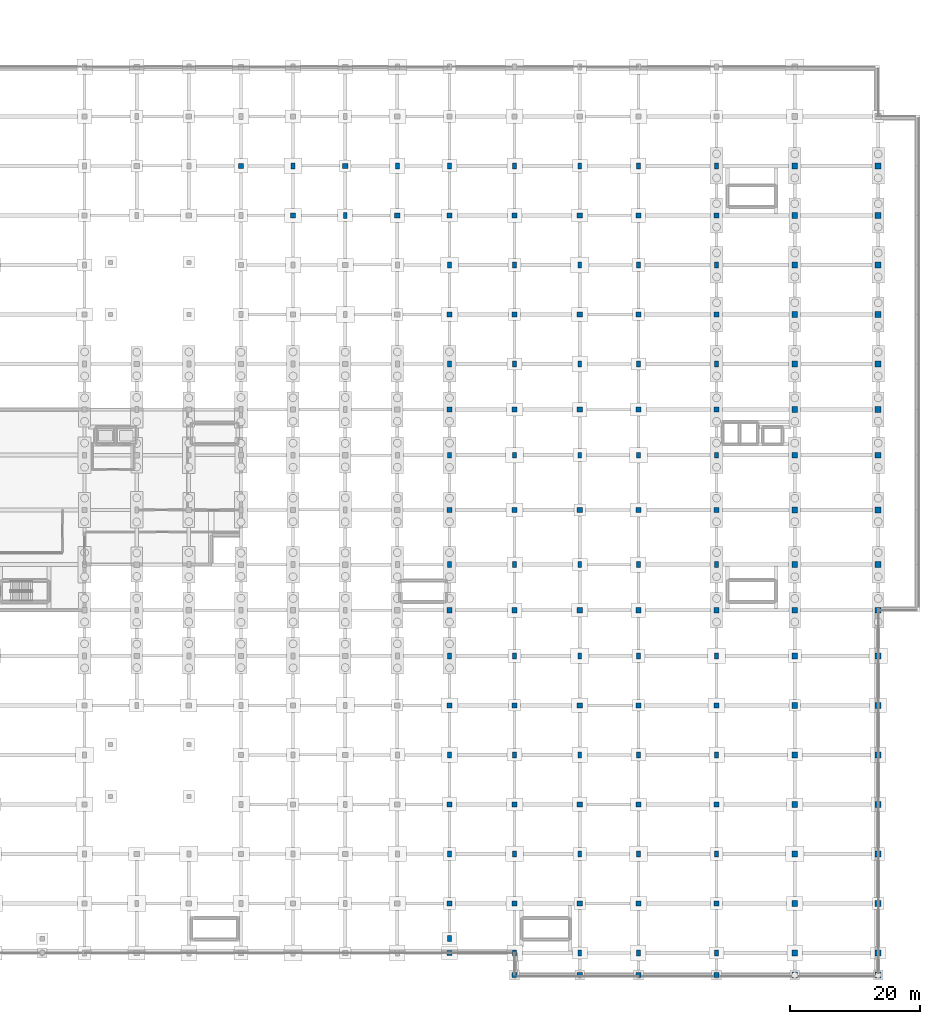
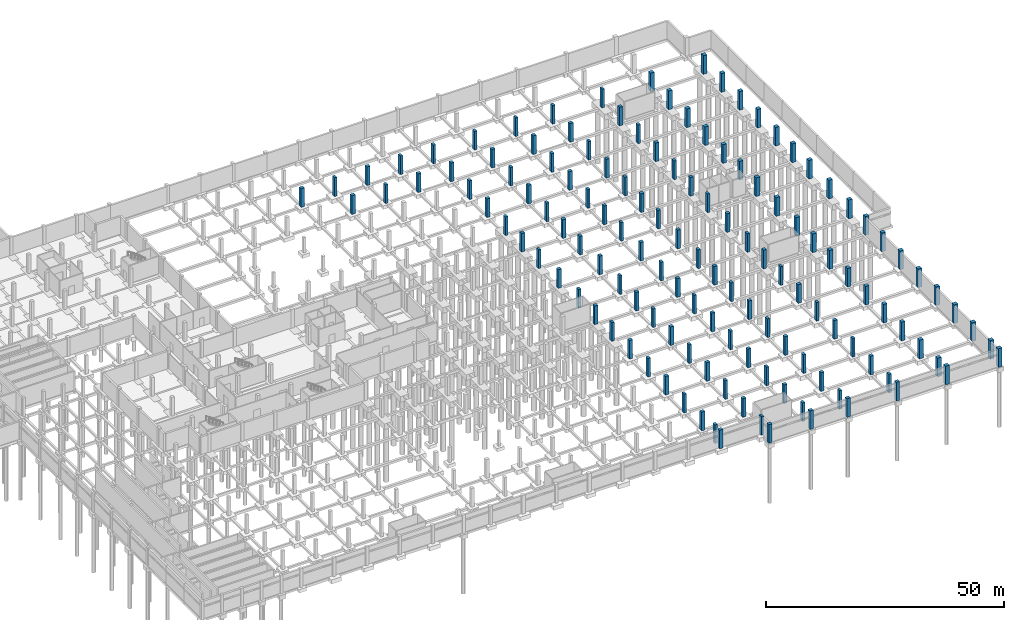
# One storey, part 29 of 50: 133 columns.
"""IFC4 building model written with IfcOpenShell, lengths in metres."""

import ifcopenshell
import ifcopenshell.guid

model = None  # the IFC model being written
_history = None  # IfcOwnerHistory: only IFC2X3 demands one
_inside = {}  # id of a spatial element -> (the spatial element, [elements in it])
_under = {}  # id of a project, library or spatial element -> (it, [spatial elements below it])
_declared = {}  # id of a project -> (the project, [libraries it declares])
_typed = {}  # id of a type object -> (the type object, [elements of that type])
_made_of = {}  # id of a material, layer set ... -> (it, [elements and type objects made of it])


def new_model(schema):
    """Start an empty IFC model of exactly this schema.

    Asked for "IFC4X3", IfcOpenShell would pick the latest addendum, in which some entities
    have other attributes; the version numbers below select the first issue.
    IFC2X3 requires an IfcOwnerHistory on every rooted entity: one is made here for all.
    """
    global model, _history
    if schema == "IFC4X3":
        model = ifcopenshell.file(schema_version=(4, 3, 0, 0))
    else:
        model = ifcopenshell.file(schema=schema)
    _inside.clear()
    _under.clear()
    _declared.clear()
    _typed.clear()
    _made_of.clear()
    _history = None
    if model.schema == "IFC2X3":
        org = make("IfcOrganization", Name="unknown")
        user = make(
            "IfcPersonAndOrganization",
            ThePerson=make("IfcPerson", FamilyName="unknown"),
            TheOrganization=org,
        )
        app = make(
            "IfcApplication",
            ApplicationDeveloper=org,
            Version="unknown",
            ApplicationFullName="unknown",
            ApplicationIdentifier="unknown",
        )
        _history = make(
            "IfcOwnerHistory",
            OwningUser=user,
            OwningApplication=app,
            ChangeAction="ADDED",
            CreationDate=0,
        )
    return model


def make(cls, **values):
    """One entity of the class cls with the attributes given. An attribute that is None is left unset."""
    return model.create_entity(
        cls, **{name: value for name, value in values.items() if value is not None}
    )


def rooted(cls, **values):
    """An entity with a GlobalId (a new one), such as an element, a storey or a relation."""
    return make(cls, GlobalId=ifcopenshell.guid.new(), OwnerHistory=_history, **values)


def si_unit(unit_type, name, prefix=None):
    """IfcSIUnit, for example si_unit("LENGTHUNIT", "METRE", prefix="MILLI")."""
    return make("IfcSIUnit", UnitType=unit_type, Prefix=prefix, Name=name)


def assignment(units):
    """IfcUnitAssignment: the units of a project."""
    return None if units is None else make("IfcUnitAssignment", Units=units)


def point(xyz):
    """IfcCartesianPoint."""
    return None if xyz is None else make("IfcCartesianPoint", Coordinates=xyz)


def direction(xyz):
    """IfcDirection."""
    return None if xyz is None else make("IfcDirection", DirectionRatios=xyz)


def frame(location, z_axis=None, x_axis=None):
    """IfcAxis2Placement3D, a coordinate frame: its origin and axes. An axis left out is left unset."""
    return make(
        "IfcAxis2Placement3D",
        Location=point(location),
        Axis=direction(z_axis),
        RefDirection=direction(x_axis),
    )


def frame_2d(location, x_axis=None):
    """IfcAxis2Placement2D, a coordinate frame in the plane: its origin and x axis."""
    return make(
        "IfcAxis2Placement2D", Location=point(location), RefDirection=direction(x_axis)
    )


def origin():
    """The frame at (0, 0, 0) with its axes left unset."""
    return frame((0.0, 0.0, 0.0))


def origin_2d():
    """The frame at (0, 0) in the plane with its x axis left unset."""
    return frame_2d((0.0, 0.0))


def place(relative_to, where):
    """IfcLocalPlacement: puts the frame where relative to a parent placement (None: the world)."""
    return make(
        "IfcLocalPlacement", PlacementRelTo=relative_to, RelativePlacement=where
    )


def context(
    kind, dimensions, precision=None, world=None, true_north=None, identifier=None
):
    """IfcGeometricRepresentationContext, for example the 3D "Model" context."""
    return make(
        "IfcGeometricRepresentationContext",
        ContextIdentifier=identifier,
        ContextType=kind,
        CoordinateSpaceDimension=dimensions,
        Precision=precision,
        WorldCoordinateSystem=world,
        TrueNorth=true_north,
    )


def subcontext(parent, identifier, kind, view, scale=None):
    """IfcGeometricRepresentationSubContext, for example "Body" below "Model"."""
    return make(
        "IfcGeometricRepresentationSubContext",
        ContextIdentifier=identifier,
        ContextType=kind,
        ParentContext=parent,
        TargetScale=scale,
        TargetView=view,
    )


def project(units=None, contexts=None):
    """IfcProject with its units and contexts."""
    return rooted(
        "IfcProject",
        Name="project",
        RepresentationContexts=contexts,
        UnitsInContext=assignment(units),
    )


def spatial(cls, under=None, at=None, **own):
    """A site, building, storey or space (cls), placed at a placement, below another one or the project."""
    s = rooted(cls, ObjectPlacement=at, **own)
    if under is not None:
        _under.setdefault(under.id(), (under, []))[1].append(s)
    return s


def profile(cls, at=None, kind="AREA", **sizes):
    """A parametric profile (cls). Its sizes go by their IFC names, for example OverallWidth=200.0."""
    return make(cls, ProfileType=kind, Position=at, **sizes)


def rectangle(**sizes):
    """IfcRectangleProfileDef."""
    return profile("IfcRectangleProfileDef", **sizes)


def extrude(swept, where, along, depth):
    """IfcExtrudedAreaSolid: the profile swept, set in the frame where, extruded along a direction by depth."""
    return make(
        "IfcExtrudedAreaSolid",
        SweptArea=swept,
        Position=where,
        ExtrudedDirection=direction(along),
        Depth=depth,
    )


def shape(context_of_items, identifier, shape_type, items):
    """IfcShapeRepresentation: the items that make up one representation, for example the "Body"."""
    return make(
        "IfcShapeRepresentation",
        ContextOfItems=context_of_items,
        RepresentationIdentifier=identifier,
        RepresentationType=shape_type,
        Items=items,
    )


def material(Name=None, Category=None):
    """IfcMaterial."""
    return make("IfcMaterial", Name=Name, Category=Category)


def material_profile(
    of_material, cross_section, Name=None, Category=None, Priority=None
):
    """IfcMaterialProfile: a cross section and its material."""
    return make(
        "IfcMaterialProfile",
        Name=Name,
        Material=of_material,
        Profile=cross_section,
        Priority=Priority,
        Category=Category,
    )


def profile_set(profiles, Name=None, composite=None):
    """IfcMaterialProfileSet."""
    return make(
        "IfcMaterialProfileSet",
        Name=Name,
        MaterialProfiles=profiles,
        CompositeProfile=composite,
    )


def made_of(thing, what):
    """Note that an element or type object is made of a material, layer set ...; save() writes the relation."""
    if what is not None:
        _made_of.setdefault(what.id(), (what, []))[1].append(thing)
    return thing


def type_object(cls, material=None, **own):
    """A type object (cls), such as IfcWallType, which elements share."""
    return made_of(rooted(cls, **own), material)


def element(
    cls,
    number,
    at=None,
    inside=None,
    cuts=None,
    type_object=None,
    material=None,
    context=None,
    identifier="Body",
    shape_type=None,
    held_by="IfcProductDefinitionShape",
    body=None,
    shapes=None,
    **own,
):
    """One element of the class cls, such as IfcWall. Its Tag is "e" and its number.

    at: its placement. inside: the storey or other place that contains it. cuts: it is an
    opening in that element (IfcRelVoidsElement). A single representation is given by context,
    identifier, shape_type and body (its items); several are given by shapes. held_by: the class
    of the entity that holds the representations. save() writes the other relations.
    """
    e = rooted(cls, Tag="e%d" % number, ObjectPlacement=at, **own)
    if body is not None:
        shapes = [shape(context, identifier, shape_type, body)]
    if shapes is not None:
        e.Representation = make(held_by, Representations=shapes)
    if inside is not None:
        _inside.setdefault(inside.id(), (inside, []))[1].append(e)
    if cuts is not None:
        rooted(
            "IfcRelVoidsElement", RelatingBuildingElement=cuts, RelatedOpeningElement=e
        )
    if type_object is not None:
        _typed.setdefault(type_object.id(), (type_object, []))[1].append(e)
    return made_of(e, material)


def aggregate(whole, parts):
    """IfcRelAggregates: a whole, such as a stair, and the parts it consists of."""
    return rooted("IfcRelAggregates", RelatingObject=whole, RelatedObjects=parts)


def save(model, path):
    """Write the relations noted so far, then the file.

    IfcRelAggregates (storeys below a building ...), IfcRelContainedInSpatialStructure (elements
    in a storey), IfcRelDefinesByType, IfcRelAssociatesMaterial and IfcRelDeclares: one each for
    every whole, place, type object, material and project.
    """
    for whole, parts in _under.values():
        aggregate(whole, parts)
    for where, things in _inside.values():
        rooted(
            "IfcRelContainedInSpatialStructure",
            RelatedElements=things,
            RelatingStructure=where,
        )
    for kind, things in _typed.values():
        rooted("IfcRelDefinesByType", RelatedObjects=things, RelatingType=kind)
    for what, things in _made_of.values():
        rooted("IfcRelAssociatesMaterial", RelatedObjects=things, RelatingMaterial=what)
    for by, libraries in _declared.values():
        rooted("IfcRelDeclares", RelatingContext=by, RelatedDefinitions=libraries)
    model.write(path)


model = new_model("IFC4")

# Units and contexts
model_context = context("Model", 3, precision=1e-05, world=origin(), true_north=direction((0.0, 1.0)))
body_context = subcontext(model_context, "Body", "Model", "MODEL_VIEW")
ifc_project = project(units=[si_unit("LENGTHUNIT", "METRE"), si_unit("AREAUNIT", "SQUARE_METRE"), si_unit("VOLUMEUNIT", "CUBIC_METRE"), si_unit("PLANEANGLEUNIT", "RADIAN"), si_unit("MASSUNIT", "GRAM", prefix="KILO")], contexts=[model_context])

# Site, building, storey
site_placement = place(None, origin())
site = spatial("IfcSite", under=ifc_project, at=site_placement, CompositionType="ELEMENT")
building_placement = place(site_placement, origin())
building = spatial("IfcBuilding", under=site, at=building_placement, Name="Vekula Escarpment Museum", CompositionType="ELEMENT")
storey_placement = place(building_placement, frame((0.0, 0.0, -4.800048828125)))
storey = spatial("IfcBuildingStorey", under=building, at=storey_placement, Name="B1", CompositionType="ELEMENT", Elevation=-4.800048828125)

# Columns
ifc_material_1 = material(Name="Concrete C35/45", Category="concrete")
ifc_material_profile_1 = material_profile(ifc_material_1, rectangle(XDim=0.60009765625, YDim=0.89990234375, at=origin_2d()), Name="RC 600x900")
ifc_profile_set_1 = profile_set([ifc_material_profile_1], Name="Concrete C35/45")
column_type_1 = type_object("IfcColumnType", Name="COL-B1-RC69", PredefinedType="COLUMN", material=ifc_profile_set_1)
for number, where, z_axis, x_axis, name in (
    (1, (102.0, 120.800048828125, 0.0), (0.0, 0.0, 1.0), (1.0, 0.0, 0.0), "Column B1 (102.0,120.8)"),
    (2, (110.0, 113.199951171875, 0.0), (0.0, 0.0, 1.0), (1.0, 0.0, 0.0), "Column B1 (110.0,113.2)"),
    (3, (118.0, 120.800048828125, 0.0), (0.0, 0.0, 1.0), (1.0, 0.0, 0.0), "Column B1 (118.0,120.8)"),
    (4, (126.0, 2.199951171875, 0.0), (0.0, 0.0, 1.0), (1.0, 0.0, 0.0), "Column B1 (126.0,2.2)"),
    (5, (126.0, 15.199951171875, 0.0), (0.0, 0.0, 1.0), (1.0, 0.0, 0.0), "Column B1 (126.0,15.2)"),
    (6, (126.0, 30.39990234375, 0.0), (0.0, 0.0, 1.0), (1.0, 0.0, 0.0), "Column B1 (126.0,30.4)"),
    (7, (126.0, 45.60009765625, 0.0), (0.0, 0.0, 1.0), (1.0, 0.0, 0.0), "Column B1 (126.0,45.6)"),
    (8, (126.0, 59.60009765625, 0.0), (0.0, 0.0, 1.0), (1.0, 0.0, 0.0), "Column B1 (126.0,59.6)"),
    (9, (126.0, 76.39990234375, 0.0), (0.0, 0.0, 1.0), (1.0, 0.0, 0.0), "Column B1 (126.0,76.4)"),
    (10, (126.0, 90.39990234375, 0.0), (0.0, 0.0, 1.0), (1.0, 0.0, 0.0), "Column B1 (126.0,90.4)"),
    (11, (126.0, 105.60009765625, 0.0), (0.0, 0.0, 1.0), (1.0, 0.0, 0.0), "Column B1 (126.0,105.6)"),
    (12, (126.0, 120.800048828125, 0.0), (0.0, 0.0, 1.0), (1.0, 0.0, 0.0), "Column B1 (126.0,120.8)"),
    (13, (136.0, 0.0, 0.0), (0.0, 0.0, 1.0), (1.0, 0.0, 0.0), "Column B1 (136.0,0.0)"),
    (14, (136.0, 15.199951171875, 0.0), (0.0, 0.0, 1.0), (1.0, 0.0, 0.0), "Column B1 (136.0,15.2)"),
    (15, (136.0, 30.39990234375, 0.0), (0.0, 0.0, 1.0), (1.0, 0.0, 0.0), "Column B1 (136.0,30.4)"),
    (16, (136.0, 45.60009765625, 0.0), (0.0, 0.0, 1.0), (1.0, 0.0, 0.0), "Column B1 (136.0,45.6)"),
    (17, (136.0, 59.60009765625, 0.0), (0.0, 0.0, 1.0), (1.0, 0.0, 0.0), "Column B1 (136.0,59.6)"),
    (18, (136.0, 76.39990234375, 0.0), (0.0, 0.0, 1.0), (1.0, 0.0, 0.0), "Column B1 (136.0,76.4)"),
    (19, (136.0, 90.39990234375, 0.0), (0.0, 0.0, 1.0), (1.0, 0.0, 0.0), "Column B1 (136.0,90.4)"),
    (20, (136.0, 105.60009765625, 0.0), (0.0, 0.0, 1.0), (1.0, 0.0, 0.0), "Column B1 (136.0,105.6)"),
    (21, (136.0, 120.800048828125, 0.0), (0.0, 0.0, 1.0), (1.0, 0.0, 0.0), "Column B1 (136.0,120.8)"),
    (22, (146.0, 0.0, 0.0), (0.0, 0.0, 1.0), (1.0, 0.0, 0.0), "Column B1 (146.0,0.0)"),
    (23, (146.0, 15.199951171875, 0.0), (0.0, 0.0, 1.0), (1.0, 0.0, 0.0), "Column B1 (146.0,15.2)"),
    (24, (146.0, 30.39990234375, 0.0), (0.0, 0.0, 1.0), (1.0, 0.0, 0.0), "Column B1 (146.0,30.4)"),
    (25, (146.0, 45.60009765625, 0.0), (0.0, 0.0, 1.0), (1.0, 0.0, 0.0), "Column B1 (146.0,45.6)"),
    (26, (146.0, 59.60009765625, 0.0), (0.0, 0.0, 1.0), (1.0, 0.0, 0.0), "Column B1 (146.0,59.6)"),
    (27, (146.0, 76.39990234375, 0.0), (0.0, 0.0, 1.0), (1.0, 0.0, 0.0), "Column B1 (146.0,76.4)"),
    (28, (146.0, 90.39990234375, 0.0), (0.0, 0.0, 1.0), (1.0, 0.0, 0.0), "Column B1 (146.0,90.4)"),
    (29, (146.0, 105.60009765625, 0.0), (0.0, 0.0, 1.0), (1.0, 0.0, 0.0), "Column B1 (146.0,105.6)"),
    (30, (146.0, 120.800048828125, 0.0), (0.0, 0.0, 1.0), (1.0, 0.0, 0.0), "Column B1 (146.0,120.8)"),
    (31, (155.0, 0.0, 0.0), (0.0, 0.0, 1.0), (1.0, 0.0, 0.0), "Column B1 (155.0,0.0)"),
    (32, (155.0, 15.199951171875, 0.0), (0.0, 0.0, 1.0), (1.0, 0.0, 0.0), "Column B1 (155.0,15.2)"),
    (33, (155.0, 30.39990234375, 0.0), (0.0, 0.0, 1.0), (1.0, 0.0, 0.0), "Column B1 (155.0,30.4)"),
    (34, (155.0, 45.60009765625, 0.0), (0.0, 0.0, 1.0), (1.0, 0.0, 0.0), "Column B1 (155.0,45.6)"),
    (35, (155.0, 59.60009765625, 0.0), (0.0, 0.0, 1.0), (1.0, 0.0, 0.0), "Column B1 (155.0,59.6)"),
    (36, (155.0, 76.39990234375, 0.0), (0.0, 0.0, 1.0), (1.0, 0.0, 0.0), "Column B1 (155.0,76.4)"),
    (37, (155.0, 90.39990234375, 0.0), (0.0, 0.0, 1.0), (1.0, 0.0, 0.0), "Column B1 (155.0,90.4)"),
    (38, (155.0, 105.60009765625, 0.0), (0.0, 0.0, 1.0), (1.0, 0.0, 0.0), "Column B1 (155.0,105.6)"),
    (39, (155.0, 120.800048828125, 0.0), (0.0, 0.0, 1.0), (1.0, 0.0, 0.0), "Column B1 (155.0,120.8)"),
    (40, (167.0, 0.0, 0.0), (0.0, 0.0, 1.0), (1.0, 0.0, 0.0), "Column B1 (167.0,0.0)"),
    (41, (167.0, 15.199951171875, 0.0), (0.0, 0.0, 1.0), (1.0, 0.0, 0.0), "Column B1 (167.0,15.2)"),
    (42, (167.0, 30.39990234375, 0.0), (0.0, 0.0, 1.0), (1.0, 0.0, 0.0), "Column B1 (167.0,30.4)"),
    (43, (167.0, 45.60009765625, 0.0), (0.0, 0.0, 1.0), (1.0, 0.0, 0.0), "Column B1 (167.0,45.6)"),
    (44, (167.0, 59.60009765625, 0.0), (0.0, 0.0, 1.0), (1.0, 0.0, 0.0), "Column B1 (167.0,59.6)"),
    (45, (167.0, 76.39990234375, 0.0), (0.0, 0.0, 1.0), (1.0, 0.0, 0.0), "Column B1 (167.0,76.4)"),
    (46, (167.0, 90.39990234375, 0.0), (0.0, 0.0, 1.0), (1.0, 0.0, 0.0), "Column B1 (167.0,90.4)"),
    (47, (167.0, 105.60009765625, 0.0), (0.0, 0.0, 1.0), (1.0, 0.0, 0.0), "Column B1 (167.0,105.6)"),
    (48, (167.0, 120.800048828125, 0.0), (0.0, 0.0, 1.0), (1.0, 0.0, 0.0), "Column B1 (167.0,120.8)"),
):
    element("IfcColumn", number, at=place(storey_placement, frame(where, z_axis=z_axis, x_axis=x_axis)), inside=storey, type_object=column_type_1, Name=name, PredefinedType="COLUMN", context=body_context, shape_type="SweptSolid", body=[
        extrude(rectangle(XDim=0.60009765625, YDim=0.89990234375, at=origin_2d()), origin(), (0.0, 0.0, 1.0), 4.800048828125),
    ])
ifc_material_2 = material(Name="Concrete C35/45", Category="concrete")
ifc_material_profile_2 = material_profile(ifc_material_2, rectangle(XDim=0.800048828125, YDim=0.800048828125, at=origin_2d()), Name="RC 800x800")
ifc_profile_set_2 = profile_set([ifc_material_profile_2], Name="Concrete C35/45")
column_type_2 = type_object("IfcColumnType", Name="COL-B1-RC800", PredefinedType="COLUMN", material=ifc_profile_set_2)
for number, where, z_axis, x_axis, name in (
    (49, (94.0, 120.800048828125, 0.0), (0.0, 0.0, 1.0), (1.0, 0.0, 0.0), "Column B1 (94.0,120.8)"),
    (50, (102.0, 113.199951171875, 0.0), (0.0, 0.0, 1.0), (1.0, 0.0, 0.0), "Column B1 (102.0,113.2)"),
    (51, (110.0, 120.800048828125, 0.0), (0.0, 0.0, 1.0), (1.0, 0.0, 0.0), "Column B1 (110.0,120.8)"),
    (52, (118.0, 113.199951171875, 0.0), (0.0, 0.0, 1.0), (1.0, 0.0, 0.0), "Column B1 (118.0,113.2)"),
    (53, (126.0, 0.0, 0.0), (0.0, 0.0, 1.0), (1.0, 0.0, 0.0), "Column B1 (126.0,0.0)"),
    (54, (126.0, 7.60009765625, 0.0), (0.0, 0.0, 1.0), (1.0, 0.0, 0.0), "Column B1 (126.0,7.6)"),
    (55, (126.0, 22.800048828125, 0.0), (0.0, 0.0, 1.0), (1.0, 0.0, 0.0), "Column B1 (126.0,22.8)"),
    (56, (126.0, 38.0, 0.0), (0.0, 0.0, 1.0), (1.0, 0.0, 0.0), "Column B1 (126.0,38.0)"),
    (57, (126.0, 52.60009765625, 0.0), (0.0, 0.0, 1.0), (1.0, 0.0, 0.0), "Column B1 (126.0,52.6)"),
    (58, (126.0, 68.0, 0.0), (0.0, 0.0, 1.0), (1.0, 0.0, 0.0), "Column B1 (126.0,68.0)"),
    (59, (126.0, 83.39990234375, 0.0), (0.0, 0.0, 1.0), (1.0, 0.0, 0.0), "Column B1 (126.0,83.4)"),
    (60, (126.0, 98.0, 0.0), (0.0, 0.0, 1.0), (1.0, 0.0, 0.0), "Column B1 (126.0,98.0)"),
    (61, (126.0, 113.199951171875, 0.0), (0.0, 0.0, 1.0), (1.0, 0.0, 0.0), "Column B1 (126.0,113.2)"),
    (62, (136.0, -3.39990234375, 0.0), (0.0, 0.0, 1.0), (1.0, 0.0, 0.0), "Column B1 (136.0,-3.4)"),
    (63, (136.0, 7.60009765625, 0.0), (0.0, 0.0, 1.0), (1.0, 0.0, 0.0), "Column B1 (136.0,7.6)"),
    (64, (136.0, 22.800048828125, 0.0), (0.0, 0.0, 1.0), (1.0, 0.0, 0.0), "Column B1 (136.0,22.8)"),
    (65, (136.0, 38.0, 0.0), (0.0, 0.0, 1.0), (1.0, 0.0, 0.0), "Column B1 (136.0,38.0)"),
    (66, (136.0, 52.60009765625, 0.0), (0.0, 0.0, 1.0), (1.0, 0.0, 0.0), "Column B1 (136.0,52.6)"),
    (67, (136.0, 68.0, 0.0), (0.0, 0.0, 1.0), (1.0, 0.0, 0.0), "Column B1 (136.0,68.0)"),
    (68, (136.0, 83.39990234375, 0.0), (0.0, 0.0, 1.0), (1.0, 0.0, 0.0), "Column B1 (136.0,83.4)"),
    (69, (136.0, 98.0, 0.0), (0.0, 0.0, 1.0), (1.0, 0.0, 0.0), "Column B1 (136.0,98.0)"),
    (70, (136.0, 113.199951171875, 0.0), (0.0, 0.0, 1.0), (1.0, 0.0, 0.0), "Column B1 (136.0,113.2)"),
    (71, (146.0, -3.39990234375, 0.0), (0.0, 0.0, 1.0), (1.0, 0.0, 0.0), "Column B1 (146.0,-3.4)"),
    (72, (146.0, 7.60009765625, 0.0), (0.0, 0.0, 1.0), (1.0, 0.0, 0.0), "Column B1 (146.0,7.6)"),
    (73, (146.0, 22.800048828125, 0.0), (0.0, 0.0, 1.0), (1.0, 0.0, 0.0), "Column B1 (146.0,22.8)"),
    (74, (146.0, 38.0, 0.0), (0.0, 0.0, 1.0), (1.0, 0.0, 0.0), "Column B1 (146.0,38.0)"),
    (75, (146.0, 52.60009765625, 0.0), (0.0, 0.0, 1.0), (1.0, 0.0, 0.0), "Column B1 (146.0,52.6)"),
    (76, (146.0, 68.0, 0.0), (0.0, 0.0, 1.0), (1.0, 0.0, 0.0), "Column B1 (146.0,68.0)"),
    (77, (146.0, 83.39990234375, 0.0), (0.0, 0.0, 1.0), (1.0, 0.0, 0.0), "Column B1 (146.0,83.4)"),
    (78, (146.0, 98.0, 0.0), (0.0, 0.0, 1.0), (1.0, 0.0, 0.0), "Column B1 (146.0,98.0)"),
    (79, (146.0, 113.199951171875, 0.0), (0.0, 0.0, 1.0), (1.0, 0.0, 0.0), "Column B1 (146.0,113.2)"),
    (80, (155.0, -3.39990234375, 0.0), (0.0, 0.0, 1.0), (1.0, 0.0, 0.0), "Column B1 (155.0,-3.4)"),
    (81, (155.0, 7.60009765625, 0.0), (0.0, 0.0, 1.0), (1.0, 0.0, 0.0), "Column B1 (155.0,7.6)"),
    (82, (155.0, 22.800048828125, 0.0), (0.0, 0.0, 1.0), (1.0, 0.0, 0.0), "Column B1 (155.0,22.8)"),
    (83, (155.0, 38.0, 0.0), (0.0, 0.0, 1.0), (1.0, 0.0, 0.0), "Column B1 (155.0,38.0)"),
    (84, (155.0, 52.60009765625, 0.0), (0.0, 0.0, 1.0), (1.0, 0.0, 0.0), "Column B1 (155.0,52.6)"),
    (85, (155.0, 68.0, 0.0), (0.0, 0.0, 1.0), (1.0, 0.0, 0.0), "Column B1 (155.0,68.0)"),
    (86, (155.0, 83.39990234375, 0.0), (0.0, 0.0, 1.0), (1.0, 0.0, 0.0), "Column B1 (155.0,83.4)"),
    (87, (155.0, 98.0, 0.0), (0.0, 0.0, 1.0), (1.0, 0.0, 0.0), "Column B1 (155.0,98.0)"),
    (88, (155.0, 113.199951171875, 0.0), (0.0, 0.0, 1.0), (1.0, 0.0, 0.0), "Column B1 (155.0,113.2)"),
    (89, (167.0, -3.39990234375, 0.0), (0.0, 0.0, 1.0), (1.0, 0.0, 0.0), "Column B1 (167.0,-3.4)"),
    (90, (167.0, 7.60009765625, 0.0), (0.0, 0.0, 1.0), (1.0, 0.0, 0.0), "Column B1 (167.0,7.6)"),
    (91, (167.0, 22.800048828125, 0.0), (0.0, 0.0, 1.0), (1.0, 0.0, 0.0), "Column B1 (167.0,22.8)"),
    (92, (167.0, 38.0, 0.0), (0.0, 0.0, 1.0), (1.0, 0.0, 0.0), "Column B1 (167.0,38.0)"),
    (93, (167.0, 52.60009765625, 0.0), (0.0, 0.0, 1.0), (1.0, 0.0, 0.0), "Column B1 (167.0,52.6)"),
    (94, (167.0, 68.0, 0.0), (0.0, 0.0, 1.0), (1.0, 0.0, 0.0), "Column B1 (167.0,68.0)"),
    (95, (167.0, 83.39990234375, 0.0), (0.0, 0.0, 1.0), (1.0, 0.0, 0.0), "Column B1 (167.0,83.4)"),
    (96, (167.0, 98.0, 0.0), (0.0, 0.0, 1.0), (1.0, 0.0, 0.0), "Column B1 (167.0,98.0)"),
    (97, (167.0, 113.199951171875, 0.0), (0.0, 0.0, 1.0), (1.0, 0.0, 0.0), "Column B1 (167.0,113.2)"),
):
    element("IfcColumn", number, at=place(storey_placement, frame(where, z_axis=z_axis, x_axis=x_axis)), inside=storey, type_object=column_type_2, Name=name, PredefinedType="COLUMN", context=body_context, shape_type="SweptSolid", body=[
        extrude(rectangle(XDim=0.800048828125, YDim=0.800048828125, at=origin_2d()), origin(), (0.0, 0.0, 1.0), 4.800048828125),
    ])
ifc_material_3 = material(Name="Concrete C35/45", Category="concrete")
ifc_material_profile_3 = material_profile(ifc_material_3, rectangle(XDim=0.89990234375, YDim=0.89990234375, at=origin_2d()), Name="RC 900x900")
ifc_profile_set_3 = profile_set([ifc_material_profile_3], Name="Concrete C35/45")
column_type_3 = type_object("IfcColumnType", Name="COL-B1-RC900", PredefinedType="COLUMN", material=ifc_profile_set_3)
for number, where, z_axis, x_axis, name in (
    (98, (179.0, -3.39990234375, 0.0), (0.0, 0.0, 1.0), (1.0, 0.0, 0.0), "Column B1 (179.0,-3.4)"),
    (99, (179.0, 0.0, 0.0), (0.0, 0.0, 1.0), (1.0, 0.0, 0.0), "Column B1 (179.0,0.0)"),
    (100, (179.0, 7.60009765625, 0.0), (0.0, 0.0, 1.0), (1.0, 0.0, 0.0), "Column B1 (179.0,7.6)"),
    (101, (179.0, 15.199951171875, 0.0), (0.0, 0.0, 1.0), (1.0, 0.0, 0.0), "Column B1 (179.0,15.2)"),
    (102, (179.0, 22.800048828125, 0.0), (0.0, 0.0, 1.0), (1.0, 0.0, 0.0), "Column B1 (179.0,22.8)"),
    (103, (179.0, 30.39990234375, 0.0), (0.0, 0.0, 1.0), (1.0, 0.0, 0.0), "Column B1 (179.0,30.4)"),
    (104, (179.0, 38.0, 0.0), (0.0, 0.0, 1.0), (1.0, 0.0, 0.0), "Column B1 (179.0,38.0)"),
    (105, (179.0, 45.60009765625, 0.0), (0.0, 0.0, 1.0), (1.0, 0.0, 0.0), "Column B1 (179.0,45.6)"),
    (106, (179.0, 52.60009765625, 0.0), (0.0, 0.0, 1.0), (1.0, 0.0, 0.0), "Column B1 (179.0,52.6)"),
    (107, (179.0, 59.60009765625, 0.0), (0.0, 0.0, 1.0), (1.0, 0.0, 0.0), "Column B1 (179.0,59.6)"),
    (108, (179.0, 68.0, 0.0), (0.0, 0.0, 1.0), (1.0, 0.0, 0.0), "Column B1 (179.0,68.0)"),
    (109, (179.0, 76.39990234375, 0.0), (0.0, 0.0, 1.0), (1.0, 0.0, 0.0), "Column B1 (179.0,76.4)"),
    (110, (179.0, 83.39990234375, 0.0), (0.0, 0.0, 1.0), (1.0, 0.0, 0.0), "Column B1 (179.0,83.4)"),
    (111, (179.0, 90.39990234375, 0.0), (0.0, 0.0, 1.0), (1.0, 0.0, 0.0), "Column B1 (179.0,90.4)"),
    (112, (179.0, 98.0, 0.0), (0.0, 0.0, 1.0), (1.0, 0.0, 0.0), "Column B1 (179.0,98.0)"),
    (113, (179.0, 105.60009765625, 0.0), (0.0, 0.0, 1.0), (1.0, 0.0, 0.0), "Column B1 (179.0,105.6)"),
    (114, (179.0, 113.199951171875, 0.0), (0.0, 0.0, 1.0), (1.0, 0.0, 0.0), "Column B1 (179.0,113.2)"),
    (115, (179.0, 120.800048828125, 0.0), (0.0, 0.0, 1.0), (1.0, 0.0, 0.0), "Column B1 (179.0,120.8)"),
    (116, (191.800048828125, -3.39990234375, 0.0), (0.0, 0.0, 1.0), (1.0, 0.0, 0.0), "Column B1 (191.8,-3.4)"),
    (117, (191.800048828125, 0.0, 0.0), (0.0, 0.0, 1.0), (1.0, 0.0, 0.0), "Column B1 (191.8,0.0)"),
    (118, (191.800048828125, 7.60009765625, 0.0), (0.0, 0.0, 1.0), (1.0, 0.0, 0.0), "Column B1 (191.8,7.6)"),
    (119, (191.800048828125, 15.199951171875, 0.0), (0.0, 0.0, 1.0), (1.0, 0.0, 0.0), "Column B1 (191.8,15.2)"),
    (120, (191.800048828125, 22.800048828125, 0.0), (0.0, 0.0, 1.0), (1.0, 0.0, 0.0), "Column B1 (191.8,22.8)"),
    (121, (191.800048828125, 30.39990234375, 0.0), (0.0, 0.0, 1.0), (1.0, 0.0, 0.0), "Column B1 (191.8,30.4)"),
    (122, (191.800048828125, 38.0, 0.0), (0.0, 0.0, 1.0), (1.0, 0.0, 0.0), "Column B1 (191.8,38.0)"),
    (123, (191.800048828125, 45.60009765625, 0.0), (0.0, 0.0, 1.0), (1.0, 0.0, 0.0), "Column B1 (191.8,45.6)"),
    (124, (191.800048828125, 52.60009765625, 0.0), (0.0, 0.0, 1.0), (1.0, 0.0, 0.0), "Column B1 (191.8,52.6)"),
    (125, (191.800048828125, 59.60009765625, 0.0), (0.0, 0.0, 1.0), (1.0, 0.0, 0.0), "Column B1 (191.8,59.6)"),
    (126, (191.800048828125, 68.0, 0.0), (0.0, 0.0, 1.0), (1.0, 0.0, 0.0), "Column B1 (191.8,68.0)"),
    (127, (191.800048828125, 76.39990234375, 0.0), (0.0, 0.0, 1.0), (1.0, 0.0, 0.0), "Column B1 (191.8,76.4)"),
    (128, (191.800048828125, 83.39990234375, 0.0), (0.0, 0.0, 1.0), (1.0, 0.0, 0.0), "Column B1 (191.8,83.4)"),
    (129, (191.800048828125, 90.39990234375, 0.0), (0.0, 0.0, 1.0), (1.0, 0.0, 0.0), "Column B1 (191.8,90.4)"),
    (130, (191.800048828125, 98.0, 0.0), (0.0, 0.0, 1.0), (1.0, 0.0, 0.0), "Column B1 (191.8,98.0)"),
    (131, (191.800048828125, 105.60009765625, 0.0), (0.0, 0.0, 1.0), (1.0, 0.0, 0.0), "Column B1 (191.8,105.6)"),
    (132, (191.800048828125, 113.199951171875, 0.0), (0.0, 0.0, 1.0), (1.0, 0.0, 0.0), "Column B1 (191.8,113.2)"),
    (133, (191.800048828125, 120.800048828125, 0.0), (0.0, 0.0, 1.0), (1.0, 0.0, 0.0), "Column B1 (191.8,120.8)"),
):
    element("IfcColumn", number, at=place(storey_placement, frame(where, z_axis=z_axis, x_axis=x_axis)), inside=storey, type_object=column_type_3, Name=name, PredefinedType="COLUMN", context=body_context, shape_type="SweptSolid", body=[
        extrude(rectangle(XDim=0.89990234375, YDim=0.89990234375, at=origin_2d()), origin(), (0.0, 0.0, 1.0), 4.800048828125),
    ])

save(model, "model.ifc")
